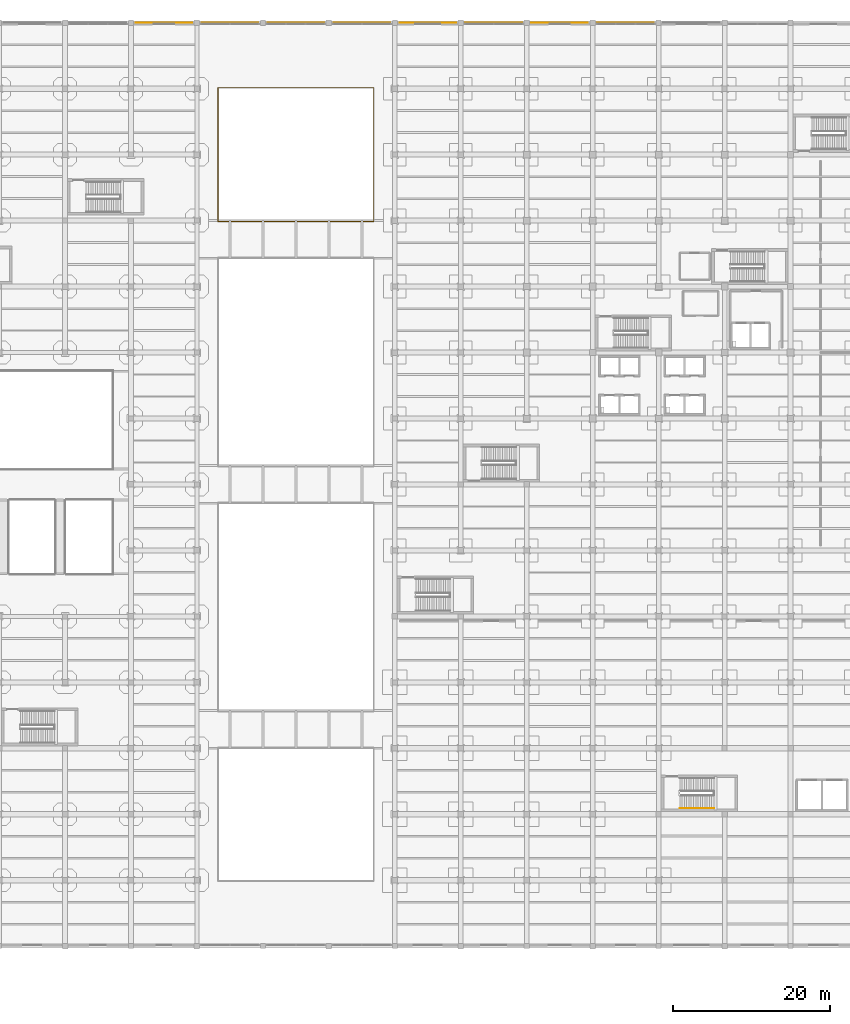
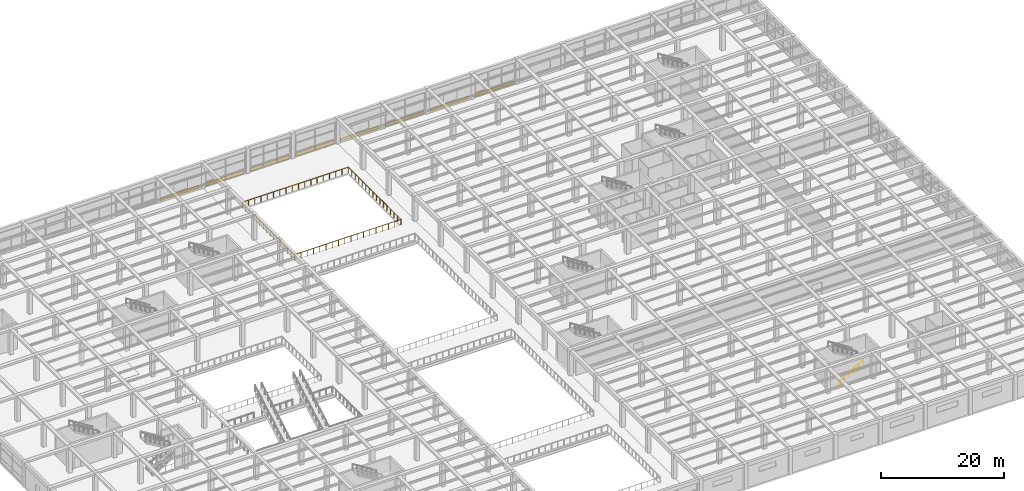
# One storey, part 93 of 96: 8 coverings, 2 railings.
"""IFC4 building model written with IfcOpenShell, lengths in metres."""

import ifcopenshell
import ifcopenshell.guid

model = None  # the IFC model being written
_history = None  # IfcOwnerHistory: only IFC2X3 demands one
_inside = {}  # id of a spatial element -> (the spatial element, [elements in it])
_under = {}  # id of a project, library or spatial element -> (it, [spatial elements below it])
_declared = {}  # id of a project -> (the project, [libraries it declares])
_typed = {}  # id of a type object -> (the type object, [elements of that type])
_made_of = {}  # id of a material, layer set ... -> (it, [elements and type objects made of it])


def new_model(schema):
    """Start an empty IFC model of exactly this schema.

    Asked for "IFC4X3", IfcOpenShell would pick the latest addendum, in which some entities
    have other attributes; the version numbers below select the first issue.
    IFC2X3 requires an IfcOwnerHistory on every rooted entity: one is made here for all.
    """
    global model, _history
    if schema == "IFC4X3":
        model = ifcopenshell.file(schema_version=(4, 3, 0, 0))
    else:
        model = ifcopenshell.file(schema=schema)
    _inside.clear()
    _under.clear()
    _declared.clear()
    _typed.clear()
    _made_of.clear()
    _history = None
    if model.schema == "IFC2X3":
        org = make("IfcOrganization", Name="unknown")
        user = make(
            "IfcPersonAndOrganization",
            ThePerson=make("IfcPerson", FamilyName="unknown"),
            TheOrganization=org,
        )
        app = make(
            "IfcApplication",
            ApplicationDeveloper=org,
            Version="unknown",
            ApplicationFullName="unknown",
            ApplicationIdentifier="unknown",
        )
        _history = make(
            "IfcOwnerHistory",
            OwningUser=user,
            OwningApplication=app,
            ChangeAction="ADDED",
            CreationDate=0,
        )
    return model


def make(cls, **values):
    """One entity of the class cls with the attributes given. An attribute that is None is left unset."""
    return model.create_entity(
        cls, **{name: value for name, value in values.items() if value is not None}
    )


def rooted(cls, **values):
    """An entity with a GlobalId (a new one), such as an element, a storey or a relation."""
    return make(cls, GlobalId=ifcopenshell.guid.new(), OwnerHistory=_history, **values)


def si_unit(unit_type, name, prefix=None):
    """IfcSIUnit, for example si_unit("LENGTHUNIT", "METRE", prefix="MILLI")."""
    return make("IfcSIUnit", UnitType=unit_type, Prefix=prefix, Name=name)


def assignment(units):
    """IfcUnitAssignment: the units of a project."""
    return None if units is None else make("IfcUnitAssignment", Units=units)


def point(xyz):
    """IfcCartesianPoint."""
    return None if xyz is None else make("IfcCartesianPoint", Coordinates=xyz)


def direction(xyz):
    """IfcDirection."""
    return None if xyz is None else make("IfcDirection", DirectionRatios=xyz)


def frame(location, z_axis=None, x_axis=None):
    """IfcAxis2Placement3D, a coordinate frame: its origin and axes. An axis left out is left unset."""
    return make(
        "IfcAxis2Placement3D",
        Location=point(location),
        Axis=direction(z_axis),
        RefDirection=direction(x_axis),
    )


def frame_2d(location, x_axis=None):
    """IfcAxis2Placement2D, a coordinate frame in the plane: its origin and x axis."""
    return make(
        "IfcAxis2Placement2D", Location=point(location), RefDirection=direction(x_axis)
    )


def origin():
    """The frame at (0, 0, 0) with its axes left unset."""
    return frame((0.0, 0.0, 0.0))


def origin_2d():
    """The frame at (0, 0) in the plane with its x axis left unset."""
    return frame_2d((0.0, 0.0))


def place(relative_to, where):
    """IfcLocalPlacement: puts the frame where relative to a parent placement (None: the world)."""
    return make(
        "IfcLocalPlacement", PlacementRelTo=relative_to, RelativePlacement=where
    )


def context(
    kind, dimensions, precision=None, world=None, true_north=None, identifier=None
):
    """IfcGeometricRepresentationContext, for example the 3D "Model" context."""
    return make(
        "IfcGeometricRepresentationContext",
        ContextIdentifier=identifier,
        ContextType=kind,
        CoordinateSpaceDimension=dimensions,
        Precision=precision,
        WorldCoordinateSystem=world,
        TrueNorth=true_north,
    )


def subcontext(parent, identifier, kind, view, scale=None):
    """IfcGeometricRepresentationSubContext, for example "Body" below "Model"."""
    return make(
        "IfcGeometricRepresentationSubContext",
        ContextIdentifier=identifier,
        ContextType=kind,
        ParentContext=parent,
        TargetScale=scale,
        TargetView=view,
    )


def project(units=None, contexts=None):
    """IfcProject with its units and contexts."""
    return rooted(
        "IfcProject",
        Name="project",
        RepresentationContexts=contexts,
        UnitsInContext=assignment(units),
    )


def spatial(cls, under=None, at=None, **own):
    """A site, building, storey or space (cls), placed at a placement, below another one or the project."""
    s = rooted(cls, ObjectPlacement=at, **own)
    if under is not None:
        _under.setdefault(under.id(), (under, []))[1].append(s)
    return s


def profile(cls, at=None, kind="AREA", **sizes):
    """A parametric profile (cls). Its sizes go by their IFC names, for example OverallWidth=200.0."""
    return make(cls, ProfileType=kind, Position=at, **sizes)


def rectangle(**sizes):
    """IfcRectangleProfileDef."""
    return profile("IfcRectangleProfileDef", **sizes)


def circle(**sizes):
    """IfcCircleProfileDef."""
    return profile("IfcCircleProfileDef", **sizes)


def extrude(swept, where, along, depth):
    """IfcExtrudedAreaSolid: the profile swept, set in the frame where, extruded along a direction by depth."""
    return make(
        "IfcExtrudedAreaSolid",
        SweptArea=swept,
        Position=where,
        ExtrudedDirection=direction(along),
        Depth=depth,
    )


def shape(context_of_items, identifier, shape_type, items):
    """IfcShapeRepresentation: the items that make up one representation, for example the "Body"."""
    return make(
        "IfcShapeRepresentation",
        ContextOfItems=context_of_items,
        RepresentationIdentifier=identifier,
        RepresentationType=shape_type,
        Items=items,
    )


def material(Name=None, Category=None):
    """IfcMaterial."""
    return make("IfcMaterial", Name=Name, Category=Category)


def layer(
    of_material, thickness, ventilated=None, Name=None, Category=None, Priority=None
):
    """IfcMaterialLayer: one layer of a wall or slab, of a material (None: an air gap)."""
    return make(
        "IfcMaterialLayer",
        Material=of_material,
        LayerThickness=thickness,
        IsVentilated=ventilated,
        Name=Name,
        Category=Category,
        Priority=Priority,
    )


def layer_set(layers, Name=None):
    """IfcMaterialLayerSet."""
    return make("IfcMaterialLayerSet", MaterialLayers=layers, LayerSetName=Name)


def made_of(thing, what):
    """Note that an element or type object is made of a material, layer set ...; save() writes the relation."""
    if what is not None:
        _made_of.setdefault(what.id(), (what, []))[1].append(thing)
    return thing


def type_object(cls, material=None, **own):
    """A type object (cls), such as IfcWallType, which elements share."""
    return made_of(rooted(cls, **own), material)


def element(
    cls,
    number,
    at=None,
    inside=None,
    cuts=None,
    type_object=None,
    material=None,
    context=None,
    identifier="Body",
    shape_type=None,
    held_by="IfcProductDefinitionShape",
    body=None,
    shapes=None,
    **own,
):
    """One element of the class cls, such as IfcWall. Its Tag is "e" and its number.

    at: its placement. inside: the storey or other place that contains it. cuts: it is an
    opening in that element (IfcRelVoidsElement). A single representation is given by context,
    identifier, shape_type and body (its items); several are given by shapes. held_by: the class
    of the entity that holds the representations. save() writes the other relations.
    """
    e = rooted(cls, Tag="e%d" % number, ObjectPlacement=at, **own)
    if body is not None:
        shapes = [shape(context, identifier, shape_type, body)]
    if shapes is not None:
        e.Representation = make(held_by, Representations=shapes)
    if inside is not None:
        _inside.setdefault(inside.id(), (inside, []))[1].append(e)
    if cuts is not None:
        rooted(
            "IfcRelVoidsElement", RelatingBuildingElement=cuts, RelatedOpeningElement=e
        )
    if type_object is not None:
        _typed.setdefault(type_object.id(), (type_object, []))[1].append(e)
    return made_of(e, material)


def aggregate(whole, parts):
    """IfcRelAggregates: a whole, such as a stair, and the parts it consists of."""
    return rooted("IfcRelAggregates", RelatingObject=whole, RelatedObjects=parts)


def save(model, path):
    """Write the relations noted so far, then the file.

    IfcRelAggregates (storeys below a building ...), IfcRelContainedInSpatialStructure (elements
    in a storey), IfcRelDefinesByType, IfcRelAssociatesMaterial and IfcRelDeclares: one each for
    every whole, place, type object, material and project.
    """
    for whole, parts in _under.values():
        aggregate(whole, parts)
    for where, things in _inside.values():
        rooted(
            "IfcRelContainedInSpatialStructure",
            RelatedElements=things,
            RelatingStructure=where,
        )
    for kind, things in _typed.values():
        rooted("IfcRelDefinesByType", RelatedObjects=things, RelatingType=kind)
    for what, things in _made_of.values():
        rooted("IfcRelAssociatesMaterial", RelatedObjects=things, RelatingMaterial=what)
    for by, libraries in _declared.values():
        rooted("IfcRelDeclares", RelatingContext=by, RelatedDefinitions=libraries)
    model.write(path)


model = new_model("IFC4")

# Units and contexts
model_context = context("Model", 3, precision=1e-05, world=origin(), true_north=direction((0.0, 1.0)))
body_context = subcontext(model_context, "Body", "Model", "MODEL_VIEW")
ifc_project = project(units=[si_unit("LENGTHUNIT", "METRE"), si_unit("AREAUNIT", "SQUARE_METRE"), si_unit("VOLUMEUNIT", "CUBIC_METRE"), si_unit("PLANEANGLEUNIT", "RADIAN"), si_unit("MASSUNIT", "GRAM", prefix="KILO")], contexts=[model_context])

# Site, building, storey
site_placement = place(None, origin())
site = spatial("IfcSite", under=ifc_project, at=site_placement, CompositionType="ELEMENT")
building_placement = place(site_placement, origin())
building = spatial("IfcBuilding", under=site, at=building_placement, Name="Almacenes y Pasaje Nevantli", CompositionType="ELEMENT")
storey_placement = place(building_placement, frame((0.0, 0.0, 6.0)))
storey = spatial("IfcBuildingStorey", under=building, at=storey_placement, Name="L02", CompositionType="ELEMENT", Elevation=6.0)

# Coverings
ifc_material_1 = material(Name="Cantera Rosa Quarry Tuff Stone", Category="masonry")
ifc_layer = layer(ifc_material_1, 0.044921875)
ifc_layer_set = layer_set([ifc_layer], Name="Cantera Rosa Quarry Tuff Stone")
covering_type = type_object("IfcCoveringType", Name="COV-CANTERA-CLAD", PredefinedType="CLADDING", material=ifc_layer_set)
for number, where, z_axis, x_axis, name in (
    (1, (63.0, 117.60009765625, 0.0), (0.0, 0.0, 1.0), (1.0, 0.0, 0.0), "Boulevard Polychrome Cantera Rosa Spandrel Cladding #8"),
    (2, (71.39990234375, 117.60009765625, 0.0), (0.0, 0.0, 1.0), (1.0, 0.0, 0.0), "Boulevard Polychrome Cantera Rosa Spandrel Cladding #9"),
    (3, (79.800048828125, 117.60009765625, 0.0), (0.0, 0.0, 1.0), (1.0, 0.0, 0.0), "Boulevard Polychrome Cantera Rosa Spandrel Cladding #10"),
    (4, (88.199951171875, 117.60009765625, 0.0), (0.0, 0.0, 1.0), (1.0, 0.0, 0.0), "Boulevard Polychrome Cantera Rosa Spandrel Cladding #11"),
    (5, (96.60009765625, 117.60009765625, 0.0), (0.0, 0.0, 1.0), (1.0, 0.0, 0.0), "Boulevard Polychrome Cantera Rosa Spandrel Cladding #12"),
    (6, (105.0, 117.60009765625, 0.0), (0.0, 0.0, 1.0), (1.0, 0.0, 0.0), "Boulevard Polychrome Cantera Rosa Spandrel Cladding #13"),
    (7, (113.39990234375, 117.60009765625, 0.0), (0.0, 0.0, 1.0), (1.0, 0.0, 0.0), "Boulevard Polychrome Cantera Rosa Spandrel Cladding #14"),
    (8, (121.800048828125, 117.60009765625, 0.0), (0.0, 0.0, 1.0), (1.0, 0.0, 0.0), "Boulevard Polychrome Cantera Rosa Spandrel Cladding #15"),
):
    element("IfcCovering", number, at=place(storey_placement, frame(where, z_axis=z_axis, x_axis=x_axis)), inside=storey, type_object=covering_type, Name=name, PredefinedType="CLADDING", context=body_context, shape_type="SweptSolid", body=[
        extrude(rectangle(XDim=7.199951171875, YDim=0.044921875, at=origin_2d()), origin(), (0.0, 0.0, 1.0), 0.64990234375),
    ])

# Railings
ifc_material_2 = material(Name="Brushed Stainless Steel and Tempered Safety Glass", Category="steel")
railing_type_1 = type_object("IfcRailingType", Name="RL-GUARD-1100", PredefinedType="BALUSTRADE", material=ifc_material_2)
railing_1_placement = place(storey_placement, frame((69.8798828125, 92.280029296875, 0.0)))
element("IfcRailing", 9, at=railing_1_placement, inside=storey, type_object=railing_type_1, Name="L02 Arcade Galleria Void VOID-ARC-4 Guard Balustrade", PredefinedType="BALUSTRADE", context=body_context, shape_type="SweptSolid", body=[
    extrude(circle(Radius=0.02392578125, at=origin_2d()), frame((0.030029296875, 0.0, 1.1259765625), z_axis=(1.0, 0.0, 0.0), x_axis=(0.0, 1.0, 0.0)), (0.0, 0.0, 1.0), 19.780029296875),
    extrude(circle(Radius=0.02392578125, at=origin_2d()), frame((19.840087890625, 0.030029296875, 1.1259765625), z_axis=(0.0, 1.0, 0.0), x_axis=(-1.0, 0.0, 0.0)), (0.0, 0.0, 1.0), 16.97998046875),
    extrude(circle(Radius=0.02392578125, at=origin_2d()), frame((19.81005859375, 17.0400390625, 1.1259765625), z_axis=(-1.0, 0.0, 0.0), x_axis=(0.0, -1.0, 0.0)), (0.0, 0.0, 1.0), 19.780029296875),
    extrude(circle(Radius=0.02392578125, at=origin_2d()), frame((0.0, 17.010009765625, 1.1259765625), z_axis=(0.0, -1.0, 0.0), x_axis=(1.0, 0.0, 0.0)), (0.0, 0.0, 1.0), 16.97998046875),
    extrude(circle(Radius=0.02099609375, at=origin_2d()), origin(), (0.0, 0.0, 1.0), 1.096923828125),
    extrude(circle(Radius=0.02099609375, at=origin_2d()), frame((1.1669921875, 0.0, 0.0)), (0.0, 0.0, 1.0), 1.096923828125),
    extrude(circle(Radius=0.02099609375, at=origin_2d()), frame((2.334228515625, 0.0, 0.0)), (0.0, 0.0, 1.0), 1.096923828125),
    extrude(circle(Radius=0.02099609375, at=origin_2d()), frame((3.501220703125, 0.0, 0.0)), (0.0, 0.0, 1.0), 1.096923828125),
    extrude(circle(Radius=0.02099609375, at=origin_2d()), frame((4.668212890625, 0.0, 0.0)), (0.0, 0.0, 1.0), 1.096923828125),
    extrude(circle(Radius=0.02099609375, at=origin_2d()), frame((5.835205078125, 0.0, 0.0)), (0.0, 0.0, 1.0), 1.096923828125),
    extrude(circle(Radius=0.02099609375, at=origin_2d()), frame((7.00244140625, 0.0, 0.0)), (0.0, 0.0, 1.0), 1.096923828125),
    extrude(circle(Radius=0.02099609375, at=origin_2d()), frame((8.16943359375, 0.0, 0.0)), (0.0, 0.0, 1.0), 1.096923828125),
    extrude(circle(Radius=0.02099609375, at=origin_2d()), frame((9.33642578125, 0.0, 0.0)), (0.0, 0.0, 1.0), 1.096923828125),
    extrude(circle(Radius=0.02099609375, at=origin_2d()), frame((10.503662109375, 0.0, 0.0)), (0.0, 0.0, 1.0), 1.096923828125),
    extrude(circle(Radius=0.02099609375, at=origin_2d()), frame((11.670654296875, 0.0, 0.0)), (0.0, 0.0, 1.0), 1.096923828125),
    extrude(circle(Radius=0.02099609375, at=origin_2d()), frame((12.837646484375, 0.0, 0.0)), (0.0, 0.0, 1.0), 1.096923828125),
    extrude(circle(Radius=0.02099609375, at=origin_2d()), frame((14.0048828125, 0.0, 0.0)), (0.0, 0.0, 1.0), 1.096923828125),
    extrude(circle(Radius=0.02099609375, at=origin_2d()), frame((15.171875, 0.0, 0.0)), (0.0, 0.0, 1.0), 1.096923828125),
    extrude(circle(Radius=0.02099609375, at=origin_2d()), frame((16.3388671875, 0.0, 0.0)), (0.0, 0.0, 1.0), 1.096923828125),
    extrude(circle(Radius=0.02099609375, at=origin_2d()), frame((17.505859375, 0.0, 0.0)), (0.0, 0.0, 1.0), 1.096923828125),
    extrude(circle(Radius=0.02099609375, at=origin_2d()), frame((18.673095703125, 0.0, 0.0)), (0.0, 0.0, 1.0), 1.096923828125),
    extrude(circle(Radius=0.02099609375, at=origin_2d()), frame((19.840087890625, 0.0, 0.0)), (0.0, 0.0, 1.0), 1.096923828125),
    extrude(circle(Radius=0.02099609375, at=origin_2d()), frame((19.840087890625, 1.135986328125, 0.0)), (0.0, 0.0, 1.0), 1.096923828125),
    extrude(circle(Radius=0.02099609375, at=origin_2d()), frame((19.840087890625, 2.27197265625, 0.0)), (0.0, 0.0, 1.0), 1.096923828125),
    extrude(circle(Radius=0.02099609375, at=origin_2d()), frame((19.840087890625, 3.407958984375, 0.0)), (0.0, 0.0, 1.0), 1.096923828125),
    extrude(circle(Radius=0.02099609375, at=origin_2d()), frame((19.840087890625, 4.5439453125, 0.0)), (0.0, 0.0, 1.0), 1.096923828125),
    extrude(circle(Radius=0.02099609375, at=origin_2d()), frame((19.840087890625, 5.679931640625, 0.0)), (0.0, 0.0, 1.0), 1.096923828125),
    extrude(circle(Radius=0.02099609375, at=origin_2d()), frame((19.840087890625, 6.81591796875, 0.0)), (0.0, 0.0, 1.0), 1.096923828125),
    extrude(circle(Radius=0.02099609375, at=origin_2d()), frame((19.840087890625, 7.951904296875, 0.0)), (0.0, 0.0, 1.0), 1.096923828125),
    extrude(circle(Radius=0.02099609375, at=origin_2d()), frame((19.840087890625, 9.088134765625, 0.0)), (0.0, 0.0, 1.0), 1.096923828125),
    extrude(circle(Radius=0.02099609375, at=origin_2d()), frame((19.840087890625, 10.22412109375, 0.0)), (0.0, 0.0, 1.0), 1.096923828125),
    extrude(circle(Radius=0.02099609375, at=origin_2d()), frame((19.840087890625, 11.360107421875, 0.0)), (0.0, 0.0, 1.0), 1.096923828125),
    extrude(circle(Radius=0.02099609375, at=origin_2d()), frame((19.840087890625, 12.49609375, 0.0)), (0.0, 0.0, 1.0), 1.096923828125),
    extrude(circle(Radius=0.02099609375, at=origin_2d()), frame((19.840087890625, 13.632080078125, 0.0)), (0.0, 0.0, 1.0), 1.096923828125),
    extrude(circle(Radius=0.02099609375, at=origin_2d()), frame((19.840087890625, 14.76806640625, 0.0)), (0.0, 0.0, 1.0), 1.096923828125),
    extrude(circle(Radius=0.02099609375, at=origin_2d()), frame((19.840087890625, 15.904052734375, 0.0)), (0.0, 0.0, 1.0), 1.096923828125),
    extrude(circle(Radius=0.02099609375, at=origin_2d()), frame((19.840087890625, 17.0400390625, 0.0)), (0.0, 0.0, 1.0), 1.096923828125),
    extrude(circle(Radius=0.02099609375, at=origin_2d()), frame((18.673095703125, 17.0400390625, 0.0)), (0.0, 0.0, 1.0), 1.096923828125),
    extrude(circle(Radius=0.02099609375, at=origin_2d()), frame((17.505859375, 17.0400390625, 0.0)), (0.0, 0.0, 1.0), 1.096923828125),
    extrude(circle(Radius=0.02099609375, at=origin_2d()), frame((16.3388671875, 17.0400390625, 0.0)), (0.0, 0.0, 1.0), 1.096923828125),
    extrude(circle(Radius=0.02099609375, at=origin_2d()), frame((15.171875, 17.0400390625, 0.0)), (0.0, 0.0, 1.0), 1.096923828125),
    extrude(circle(Radius=0.02099609375, at=origin_2d()), frame((14.0048828125, 17.0400390625, 0.0)), (0.0, 0.0, 1.0), 1.096923828125),
    extrude(circle(Radius=0.02099609375, at=origin_2d()), frame((12.837646484375, 17.0400390625, 0.0)), (0.0, 0.0, 1.0), 1.096923828125),
    extrude(circle(Radius=0.02099609375, at=origin_2d()), frame((11.670654296875, 17.0400390625, 0.0)), (0.0, 0.0, 1.0), 1.096923828125),
    extrude(circle(Radius=0.02099609375, at=origin_2d()), frame((10.503662109375, 17.0400390625, 0.0)), (0.0, 0.0, 1.0), 1.096923828125),
    extrude(circle(Radius=0.02099609375, at=origin_2d()), frame((9.33642578125, 17.0400390625, 0.0)), (0.0, 0.0, 1.0), 1.096923828125),
    extrude(circle(Radius=0.02099609375, at=origin_2d()), frame((8.16943359375, 17.0400390625, 0.0)), (0.0, 0.0, 1.0), 1.096923828125),
    extrude(circle(Radius=0.02099609375, at=origin_2d()), frame((7.00244140625, 17.0400390625, 0.0)), (0.0, 0.0, 1.0), 1.096923828125),
    extrude(circle(Radius=0.02099609375, at=origin_2d()), frame((5.835205078125, 17.0400390625, 0.0)), (0.0, 0.0, 1.0), 1.096923828125),
    extrude(circle(Radius=0.02099609375, at=origin_2d()), frame((4.668212890625, 17.0400390625, 0.0)), (0.0, 0.0, 1.0), 1.096923828125),
    extrude(circle(Radius=0.02099609375, at=origin_2d()), frame((3.501220703125, 17.0400390625, 0.0)), (0.0, 0.0, 1.0), 1.096923828125),
    extrude(circle(Radius=0.02099609375, at=origin_2d()), frame((2.334228515625, 17.0400390625, 0.0)), (0.0, 0.0, 1.0), 1.096923828125),
    extrude(circle(Radius=0.02099609375, at=origin_2d()), frame((1.1669921875, 17.0400390625, 0.0)), (0.0, 0.0, 1.0), 1.096923828125),
    extrude(circle(Radius=0.02099609375, at=origin_2d()), frame((0.0, 17.0400390625, 0.0)), (0.0, 0.0, 1.0), 1.096923828125),
    extrude(circle(Radius=0.02099609375, at=origin_2d()), frame((0.0, 15.904052734375, 0.0)), (0.0, 0.0, 1.0), 1.096923828125),
    extrude(circle(Radius=0.02099609375, at=origin_2d()), frame((0.0, 14.76806640625, 0.0)), (0.0, 0.0, 1.0), 1.096923828125),
    extrude(circle(Radius=0.02099609375, at=origin_2d()), frame((0.0, 13.632080078125, 0.0)), (0.0, 0.0, 1.0), 1.096923828125),
    extrude(circle(Radius=0.02099609375, at=origin_2d()), frame((0.0, 12.49609375, 0.0)), (0.0, 0.0, 1.0), 1.096923828125),
    extrude(circle(Radius=0.02099609375, at=origin_2d()), frame((0.0, 11.360107421875, 0.0)), (0.0, 0.0, 1.0), 1.096923828125),
    extrude(circle(Radius=0.02099609375, at=origin_2d()), frame((0.0, 10.22412109375, 0.0)), (0.0, 0.0, 1.0), 1.096923828125),
    extrude(circle(Radius=0.02099609375, at=origin_2d()), frame((0.0, 9.088134765625, 0.0)), (0.0, 0.0, 1.0), 1.096923828125),
    extrude(circle(Radius=0.02099609375, at=origin_2d()), frame((0.0, 7.951904296875, 0.0)), (0.0, 0.0, 1.0), 1.096923828125),
    extrude(circle(Radius=0.02099609375, at=origin_2d()), frame((0.0, 6.81591796875, 0.0)), (0.0, 0.0, 1.0), 1.096923828125),
    extrude(circle(Radius=0.02099609375, at=origin_2d()), frame((0.0, 5.679931640625, 0.0)), (0.0, 0.0, 1.0), 1.096923828125),
    extrude(circle(Radius=0.02099609375, at=origin_2d()), frame((0.0, 4.5439453125, 0.0)), (0.0, 0.0, 1.0), 1.096923828125),
    extrude(circle(Radius=0.02099609375, at=origin_2d()), frame((0.0, 3.407958984375, 0.0)), (0.0, 0.0, 1.0), 1.096923828125),
    extrude(circle(Radius=0.02099609375, at=origin_2d()), frame((0.0, 2.27197265625, 0.0)), (0.0, 0.0, 1.0), 1.096923828125),
    extrude(circle(Radius=0.02099609375, at=origin_2d()), frame((0.0, 1.135986328125, 0.0)), (0.0, 0.0, 1.0), 1.096923828125),
])
ifc_material_3 = material(Name="Brushed Stainless Steel Tube", Category="steel")
railing_type_2 = type_object("IfcRailingType", Name="RL-HANDRAIL-900", PredefinedType="HANDRAIL", material=ifc_material_3)
railing_2_placement = place(storey_placement, frame((128.699951171875, 17.56005859375, 0.0)))
element("IfcRailing", 10, at=railing_2_placement, inside=storey, type_object=railing_type_2, Name="L02 Stair ST-06 Lower Flight Handrail", PredefinedType="HANDRAIL", context=body_context, shape_type="SweptSolid", body=[
    extrude(circle(Radius=0.02392578125, at=origin_2d()), frame((0.025390625, 0.0, 0.8916015625), z_axis=(0.849649743971, 0.0, 0.527347430608), x_axis=(0.0, 1.0, 0.0)), (0.0, 0.0, 1.0), 5.059814453125),
    extrude(circle(Radius=0.02099609375, at=origin_2d()), origin(), (0.0, 0.0, 1.0), 0.846923828125),
    extrude(circle(Radius=0.02099609375, at=origin_2d()), frame((0.8701171875, 0.0, 0.5400390625)), (0.0, 0.0, 1.0), 0.846923828125),
    extrude(circle(Radius=0.02099609375, at=origin_2d()), frame((1.739990234375, 0.0, 1.080078125)), (0.0, 0.0, 1.0), 0.846923828125),
    extrude(circle(Radius=0.02099609375, at=origin_2d()), frame((2.610107421875, 0.0, 1.619873046875)), (0.0, 0.0, 1.0), 0.846923828125),
    extrude(circle(Radius=0.02099609375, at=origin_2d()), frame((3.47998046875, 0.0, 2.159912109375)), (0.0, 0.0, 1.0), 0.846923828125),
    extrude(circle(Radius=0.02099609375, at=origin_2d()), frame((4.35009765625, 0.0, 2.699951171875)), (0.0, 0.0, 1.0), 0.846923828125),
])

save(model, "model.ifc")
